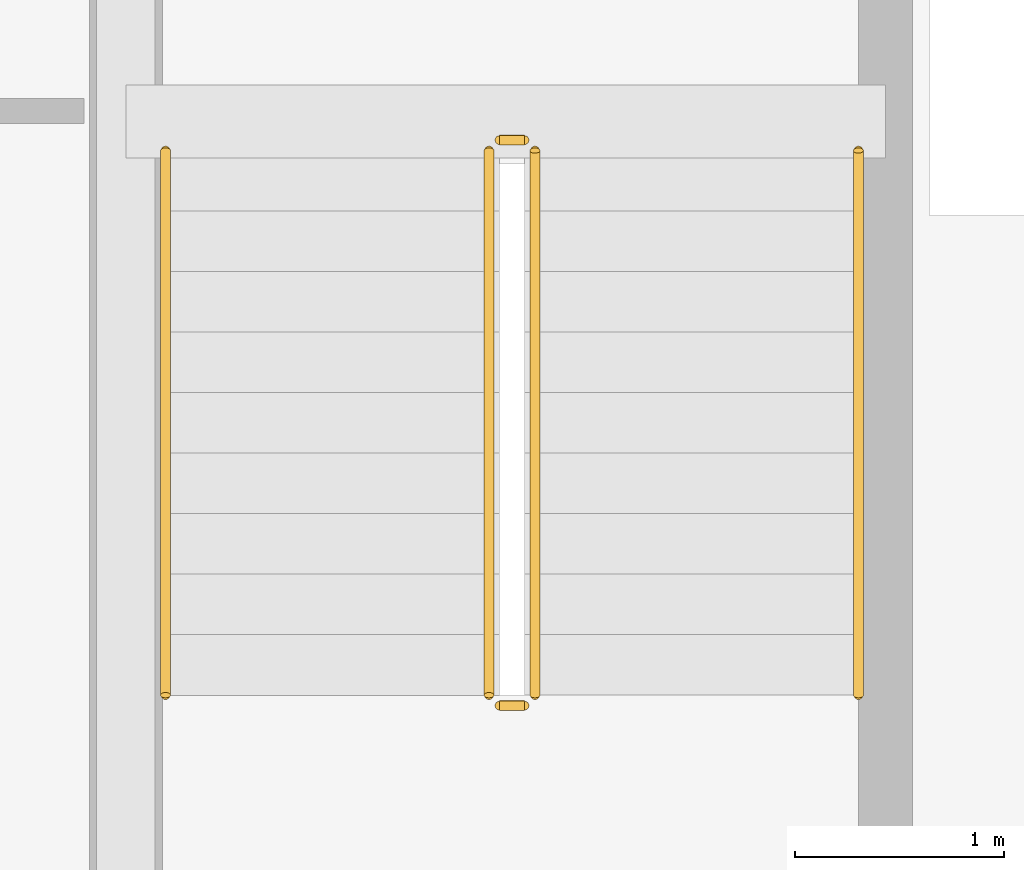
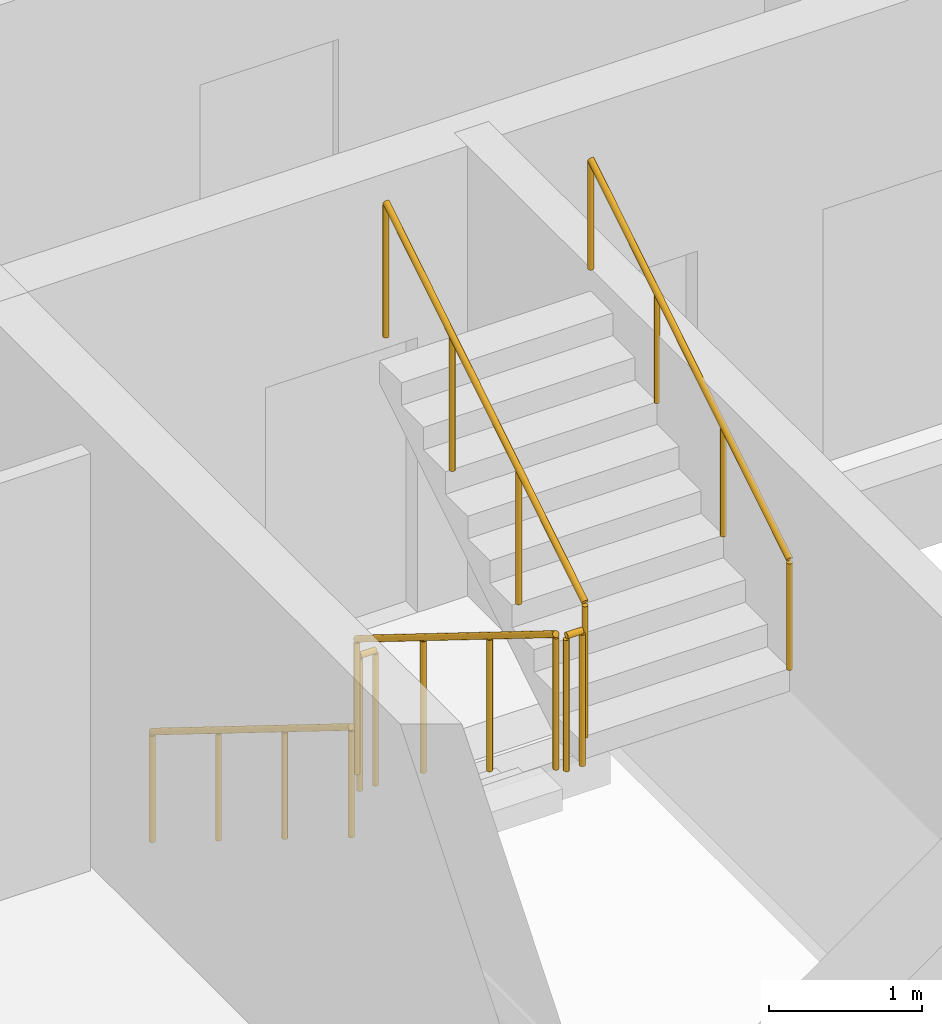
# One storey, part 21 of 25: 6 railings.
"""IFC4 building model written with IfcOpenShell, lengths in metres."""

from ifc_helpers import new_model, si_unit, direction, frame, origin, origin_2d, place, context, subcontext, project, spatial, circle, extrude, material, type_object, element, save


model = new_model("IFC4")

# Units and contexts
model_context = context("Model", 3, precision=1e-05, world=origin(), true_north=direction((0.0, 1.0)))
body_context = subcontext(model_context, "Body", "Model", "MODEL_VIEW")
ifc_project = project(units=[si_unit("LENGTHUNIT", "METRE"), si_unit("AREAUNIT", "SQUARE_METRE"), si_unit("VOLUMEUNIT", "CUBIC_METRE"), si_unit("PLANEANGLEUNIT", "RADIAN"), si_unit("MASSUNIT", "GRAM", prefix="KILO")], contexts=[model_context])

# Site, building, storey
site_placement = place(None, origin())
site = spatial("IfcSite", under=ifc_project, at=site_placement, CompositionType="ELEMENT")
building_placement = place(site_placement, origin())
building = spatial("IfcBuilding", under=site, at=building_placement, Name="Vharandega Faculty of Natural Sciences", CompositionType="ELEMENT")
storey_placement = place(building_placement, frame((0.0, 0.0, 25.199951171875)))
storey = spatial("IfcBuildingStorey", under=building, at=storey_placement, Name="L06", CompositionType="ELEMENT", Elevation=25.199951171875)

# Railings
ifc_material_1 = material(Name="Brushed stainless steel handrail", Category="steel")
railing_type_1 = type_object("IfcRailingType", Name="Stair Tubular Handrail 900", PredefinedType="HANDRAIL", material=ifc_material_1)
railing_1_placement = place(storey_placement, frame((32.18994140625, 46.2099609375, 0.179931640625)))
element("IfcRailing", 1, at=railing_1_placement, inside=storey, type_object=railing_type_1, Name="L06 ST3 stair handrail 1", PredefinedType="HANDRAIL", context=body_context, shape_type="SweptSolid", body=[
    extrude(circle(Radius=0.02392578125, at=origin_2d()), frame((0.0, 0.0, 0.8759765625), z_axis=(0.0, -0.849610693518, 0.52741034258), x_axis=(1.0, 0.0, 0.0)), (0.0, 0.0, 1.0), 3.07177734375),
    extrude(circle(Radius=0.02099609375, at=origin_2d()), origin(), (0.0, 0.0, 1.0), 0.851806640625),
    extrude(circle(Radius=0.02099609375, at=origin_2d()), frame((0.0, -0.869873046875, 0.5400390625)), (0.0, 0.0, 1.0), 0.851806640625),
    extrude(circle(Radius=0.02099609375, at=origin_2d()), frame((0.0, -1.739990234375, 1.080078125)), (0.0, 0.0, 1.0), 0.851806640625),
    extrude(circle(Radius=0.02099609375, at=origin_2d()), frame((0.0, -2.60986328125, 1.6201171875)), (0.0, 0.0, 1.0), 0.851806640625),
])
railing_2_placement = place(storey_placement, frame((35.510009765625, 43.60009765625, 1.97998046875)))
element("IfcRailing", 2, at=railing_2_placement, inside=storey, type_object=railing_type_1, Name="L06 ST3 stair handrail 2", PredefinedType="HANDRAIL", context=body_context, shape_type="SweptSolid", body=[
    extrude(circle(Radius=0.02392578125, at=origin_2d()), frame((0.0, 0.0, 0.8759765625), z_axis=(0.0, 0.849610693518, 0.52741034258), x_axis=(-1.0, 0.0, 0.0)), (0.0, 0.0, 1.0), 3.07177734375),
    extrude(circle(Radius=0.02099609375, at=origin_2d()), origin(), (0.0, 0.0, 1.0), 0.851806640625),
    extrude(circle(Radius=0.02099609375, at=origin_2d()), frame((0.0, 0.869873046875, 0.5400390625)), (0.0, 0.0, 1.0), 0.851806640625),
    extrude(circle(Radius=0.02099609375, at=origin_2d()), frame((0.0, 1.739990234375, 1.080078125)), (0.0, 0.0, 1.0), 0.851806640625),
    extrude(circle(Radius=0.02099609375, at=origin_2d()), frame((0.0, 2.60986328125, 1.6201171875)), (0.0, 0.0, 1.0), 0.851806640625),
])
ifc_material_2 = material(Name="Painted steel stair guardrail", Category="steel")
railing_type_2 = type_object("IfcRailingType", Name="Stairwell Steel Guardrail 1100", PredefinedType="GUARDRAIL", material=ifc_material_2)
railing_3_placement = place(storey_placement, frame((33.739990234375, 46.2099609375, 0.179931640625)))
element("IfcRailing", 3, at=railing_3_placement, inside=storey, type_object=railing_type_2, Name="L06 ST3 stair guard 1", PredefinedType="GUARDRAIL", context=body_context, shape_type="SweptSolid", body=[
    extrude(circle(Radius=0.02392578125, at=origin_2d()), frame((0.0, 0.0, 1.076171875), z_axis=(0.0, -0.849610693518, 0.52741034258), x_axis=(1.0, 0.0, 0.0)), (0.0, 0.0, 1.0), 3.07177734375),
    extrude(circle(Radius=0.02099609375, at=origin_2d()), origin(), (0.0, 0.0, 1.0), 1.052001953125),
    extrude(circle(Radius=0.02099609375, at=origin_2d()), frame((0.0, -0.869873046875, 0.5400390625)), (0.0, 0.0, 1.0), 1.052001953125),
    extrude(circle(Radius=0.02099609375, at=origin_2d()), frame((0.0, -1.739990234375, 1.080078125)), (0.0, 0.0, 1.0), 1.052001953125),
    extrude(circle(Radius=0.02099609375, at=origin_2d()), frame((0.0, -2.60986328125, 1.6201171875)), (0.0, 0.0, 1.0), 1.052001953125),
])
railing_4_placement = place(storey_placement, frame((33.7900390625, 43.550048828125, 1.800048828125)))
element("IfcRailing", 4, at=railing_4_placement, inside=storey, type_object=railing_type_2, Name="L06 ST3 stair guard 2", PredefinedType="GUARDRAIL", context=body_context, shape_type="SweptSolid", body=[
    extrude(circle(Radius=0.02392578125, at=origin_2d()), frame((0.0, 0.0, 1.076171875), z_axis=(1.0, 0.0, 0.0), x_axis=(0.0, 1.0, 0.0)), (0.0, 0.0, 1.0), 0.119873046875),
    extrude(circle(Radius=0.02099609375, at=origin_2d()), origin(), (0.0, 0.0, 1.0), 1.052001953125),
    extrude(circle(Radius=0.02099609375, at=origin_2d()), frame((0.119873046875, 0.0, 0.0)), (0.0, 0.0, 1.0), 1.052001953125),
])
railing_5_placement = place(storey_placement, frame((33.9599609375, 43.60009765625, 1.97998046875)))
element("IfcRailing", 5, at=railing_5_placement, inside=storey, type_object=railing_type_2, Name="L06 ST3 stair guard 3", PredefinedType="GUARDRAIL", context=body_context, shape_type="SweptSolid", body=[
    extrude(circle(Radius=0.02392578125, at=origin_2d()), frame((0.0, 0.0, 1.076171875), z_axis=(0.0, 0.849610693518, 0.52741034258), x_axis=(-1.0, 0.0, 0.0)), (0.0, 0.0, 1.0), 3.07177734375),
    extrude(circle(Radius=0.02099609375, at=origin_2d()), origin(), (0.0, 0.0, 1.0), 1.052001953125),
    extrude(circle(Radius=0.02099609375, at=origin_2d()), frame((0.0, 0.869873046875, 0.5400390625)), (0.0, 0.0, 1.0), 1.052001953125),
    extrude(circle(Radius=0.02099609375, at=origin_2d()), frame((0.0, 1.739990234375, 1.080078125)), (0.0, 0.0, 1.0), 1.052001953125),
    extrude(circle(Radius=0.02099609375, at=origin_2d()), frame((0.0, 2.60986328125, 1.6201171875)), (0.0, 0.0, 1.0), 1.052001953125),
])
railing_6_placement = place(storey_placement, frame((33.7900390625, 46.260009765625, 0.0)))
element("IfcRailing", 6, at=railing_6_placement, inside=storey, type_object=railing_type_2, Name="L06 ST3 stair guard 4", PredefinedType="GUARDRAIL", context=body_context, shape_type="SweptSolid", body=[
    extrude(circle(Radius=0.02392578125, at=origin_2d()), frame((0.0, 0.0, 1.076171875), z_axis=(1.0, 0.0, 0.0), x_axis=(0.0, 1.0, 0.0)), (0.0, 0.0, 1.0), 0.119873046875),
    extrude(circle(Radius=0.02099609375, at=origin_2d()), origin(), (0.0, 0.0, 1.0), 1.052001953125),
    extrude(circle(Radius=0.02099609375, at=origin_2d()), frame((0.119873046875, 0.0, 0.0)), (0.0, 0.0, 1.0), 1.052001953125),
])

save(model, "model.ifc")
